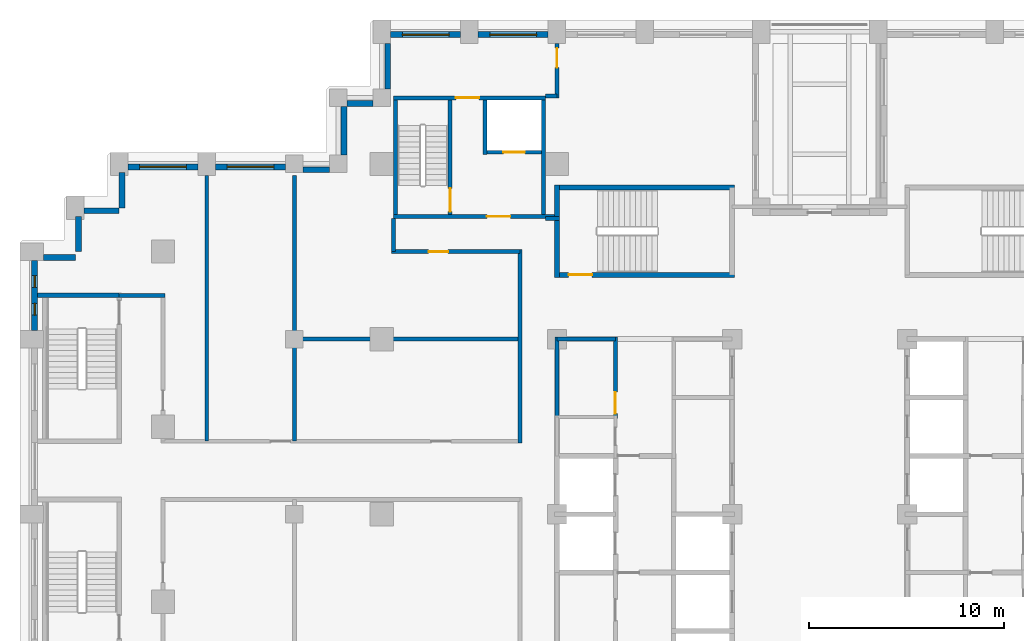
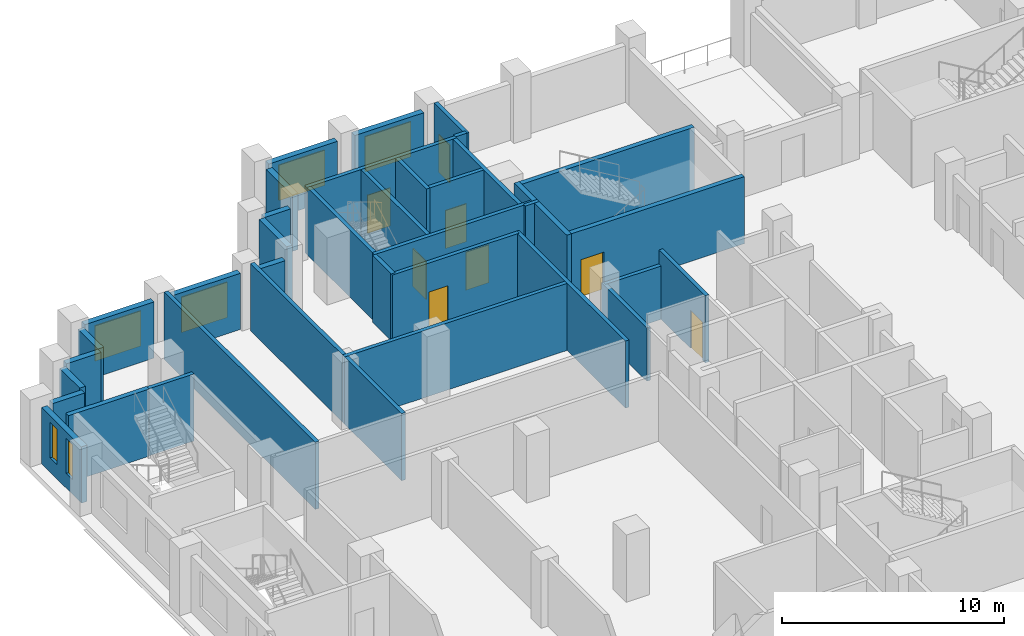
# One storey, part 7 of 13: 37 walls, 8 doors, 6 windows, 14 openings.
"""IFC4 building model written with IfcOpenShell, lengths in metres."""

from ifc_helpers import new_model, si_unit, direction, frame, frame_2d, origin, place, context, subcontext, project, spatial, rectangle, extrude, material, layer, layer_set, type_object, element, fill, save


model = new_model("IFC4")

# Units and contexts
model_context = context("Model", 3, precision=1e-05, world=origin(), true_north=direction((0.0, 1.0)))
body_context = subcontext(model_context, "Body", "Model", "MODEL_VIEW")
ifc_project = project(units=[si_unit("LENGTHUNIT", "METRE"), si_unit("AREAUNIT", "SQUARE_METRE"), si_unit("VOLUMEUNIT", "CUBIC_METRE"), si_unit("PLANEANGLEUNIT", "RADIAN"), si_unit("MASSUNIT", "GRAM", prefix="KILO")], contexts=[model_context])

# Site, building, storey
site_placement = place(None, origin())
site = spatial("IfcSite", under=ifc_project, at=site_placement, CompositionType="ELEMENT")
building_placement = place(site_placement, origin())
building = spatial("IfcBuilding", under=site, at=building_placement, Name="Corbelhall Arena Tower", CompositionType="ELEMENT")
storey_placement = place(building_placement, frame((0.0, 0.0, 68.0)))
storey = spatial("IfcBuildingStorey", under=building, at=storey_placement, Name="L09", CompositionType="ELEMENT", Elevation=68.0)

# Walls
ifc_material_1 = material(Name="Precast concrete C40/50 with granite facing", Category="masonry")
ifc_layer_1 = layer(ifc_material_1, 0.300048828125)
ifc_layer_set_1 = layer_set([ifc_layer_1], Name="EV-IW1 Infill panel 300")
wall_type_1 = type_object("IfcWallType", Name="EV-IW1 Infill panel 300", PredefinedType="SOLIDWALL", material=ifc_layer_set_1)
for number, where, z_axis, x_axis, name in (
    (1, (-35.85009765625, 17.550048828125, 0.0), (0.0, 0.0, 1.0), (0.0, -1.0, 0.0), "Infill panel IW1"),
    (2, (-37.800048828125, 15.60009765625, 0.0), (0.0, 0.0, 1.0), (1.0, 0.0, 0.0), "Infill panel IW1"),
    (3, (-38.10009765625, 15.300048828125, 0.0), (0.0, 0.0, 1.0), (0.0, -1.0, 0.0), "Infill panel IW1"),
):
    element("IfcWall", number, at=place(storey_placement, frame(where, z_axis=z_axis, x_axis=x_axis)), inside=storey, type_object=wall_type_1, Name=name, PredefinedType="SOLIDWALL", context=body_context, shape_type="SweptSolid", body=[
        extrude(rectangle(XDim=1.800048828125, YDim=0.300048828125, at=frame_2d((0.89990234375, 0.0))), origin(), (0.0, 0.0, 1.0), 3.10009765625),
    ])
wall_1_placement = place(storey_placement, frame((-39.89990234375, 13.199951171875, 0.0), z_axis=(0.0, 0.0, 1.0), x_axis=(1.0, 0.0, 0.0)))
element("IfcWall", 4, at=wall_1_placement, inside=storey, type_object=wall_type_1, Name="Infill panel IW1", PredefinedType="SOLIDWALL", context=body_context, shape_type="SweptSolid", body=[
    extrude(rectangle(XDim=1.64990234375, YDim=0.300048828125, at=frame_2d((0.824951171875, 0.0))), origin(), (0.0, 0.0, 1.0), 3.10009765625),
])
wall_2_placement = place(storey_placement, frame((-22.199951171875, 24.199951171875, 0.0), z_axis=(0.0, 0.0, 1.0), x_axis=(0.0, -1.0, 0.0)))
element("IfcWall", 5, at=wall_2_placement, inside=storey, type_object=wall_type_1, Name="Infill panel IW1", PredefinedType="SOLIDWALL", context=body_context, shape_type="SweptSolid", body=[
    extrude(rectangle(XDim=2.349853515625, YDim=0.300048828125, at=frame_2d((1.1748046875, 0.0))), origin(), (0.0, 0.0, 1.0), 3.10009765625),
])
wall_3_placement = place(storey_placement, frame((-22.949951171875, 21.10009765625, 0.0), z_axis=(0.0, 0.0, 1.0), x_axis=(-1.0, 0.0, 0.0)))
element("IfcWall", 6, at=wall_3_placement, inside=storey, type_object=wall_type_1, Name="Infill panel IW1", PredefinedType="SOLIDWALL", context=body_context, shape_type="SweptSolid", body=[
    extrude(rectangle(XDim=1.35009765625, YDim=0.300048828125, at=frame_2d((0.675048828125, 0.0))), origin(), (0.0, 0.0, 1.0), 3.10009765625),
])
wall_4_placement = place(storey_placement, frame((-24.449951171875, 20.949951171875, 0.0), z_axis=(0.0, 0.0, 1.0), x_axis=(0.0, -1.0, 0.0)))
element("IfcWall", 7, at=wall_4_placement, inside=storey, type_object=wall_type_1, Name="Infill panel IW1", PredefinedType="SOLIDWALL", context=body_context, shape_type="SweptSolid", body=[
    extrude(rectangle(XDim=2.5, YDim=0.300048828125, at=frame_2d((1.25, 0.0))), origin(), (0.0, 0.0, 1.0), 3.10009765625),
])
wall_5_placement = place(storey_placement, frame((-25.199951171875, 17.699951171875, 0.0), z_axis=(0.0, 0.0, 1.0), x_axis=(-1.0, 0.0, 0.0)))
element("IfcWall", 8, at=wall_5_placement, inside=storey, type_object=wall_type_1, Name="Infill panel IW1", PredefinedType="SOLIDWALL", context=body_context, shape_type="SweptSolid", body=[
    extrude(rectangle(XDim=1.35009765625, YDim=0.300048828125, at=frame_2d((0.675048828125, 0.0))), origin(), (0.0, 0.0, 1.0), 3.10009765625),
])

# Wall, opening, window
wall_6_placement = place(storey_placement, frame((-27.449951171875, 17.85009765625, 0.0), z_axis=(0.0, 0.0, 1.0), x_axis=(-1.0, 0.0, 0.0)))
wall_6 = element("IfcWall", 9, at=wall_6_placement, inside=storey, type_object=wall_type_1, Name="Infill panel IW1", PredefinedType="SOLIDWALL", context=body_context, shape_type="SweptSolid", body=[
    extrude(rectangle(XDim=3.60009765625, YDim=0.300048828125, at=frame_2d((1.800048828125, 0.0))), origin(), (0.0, 0.0, 1.0), 3.10009765625),
])
opening_1_placement = place(wall_6_placement, frame((0.60009765625, 0.0, 0.800048828125)))
opening_1 = element("IfcOpeningElement", 10, at=opening_1_placement, cuts=wall_6, Name="Opening WN1", PredefinedType="OPENING", context=body_context, shape_type="SweptSolid", body=[
    extrude(rectangle(XDim=2.39990234375, YDim=1.949951171875, at=frame_2d((1.199951171875, 0.97509765625))), frame((0.0, 0.14990234375, 0.0), z_axis=(0.0, -1.0, 0.0), x_axis=(1.0, 0.0, 0.0)), (0.0, 0.0, 1.0), 0.300048828125),
])
ifc_material_2 = material(Name="Aluminium black anodised", Category="aluminium")
window_type_1 = type_object("IfcWindowType", Name="EV-WN1 Office window", PartitioningType="SINGLE_PANEL", PredefinedType="WINDOW", material=ifc_material_2)
window_1_placement = place(opening_1_placement, origin())
window_1 = element("IfcWindow", 11, at=window_1_placement, inside=storey, type_object=window_type_1, Name="Window WN1", OverallHeight=1.949951171875, OverallWidth=2.39990234375, PartitioningType="SINGLE_PANEL", PredefinedType="WINDOW", context=body_context, shape_type="SweptSolid", body=[
    extrude(rectangle(XDim=2.39990234375, YDim=1.949951171875, at=frame_2d((1.199951171875, 0.97509765625))), frame((0.0, 0.030029296875, 0.0), z_axis=(0.0, -1.0, 0.0), x_axis=(1.0, 0.0, 0.0)), (0.0, 0.0, 1.0), 0.06005859375),
])
fill(opening_1, window_1)

wall_7_placement = place(storey_placement, frame((-31.949951171875, 17.85009765625, 0.0), z_axis=(0.0, 0.0, 1.0), x_axis=(-1.0, 0.0, 0.0)))
wall_7 = element("IfcWall", 12, at=wall_7_placement, inside=storey, type_object=wall_type_1, Name="Infill panel IW1", PredefinedType="SOLIDWALL", context=body_context, shape_type="SweptSolid", body=[
    extrude(rectangle(XDim=3.60009765625, YDim=0.300048828125, at=frame_2d((1.800048828125, 0.0))), origin(), (0.0, 0.0, 1.0), 3.10009765625),
])
opening_2_placement = place(wall_7_placement, frame((0.60009765625, 0.0, 0.800048828125)))
opening_2 = element("IfcOpeningElement", 13, at=opening_2_placement, cuts=wall_7, Name="Opening WN1", PredefinedType="OPENING", context=body_context, shape_type="SweptSolid", body=[
    extrude(rectangle(XDim=2.39990234375, YDim=1.949951171875, at=frame_2d((1.199951171875, 0.97509765625))), frame((0.0, 0.14990234375, 0.0), z_axis=(0.0, -1.0, 0.0), x_axis=(1.0, 0.0, 0.0)), (0.0, 0.0, 1.0), 0.300048828125),
])
window_2_placement = place(opening_2_placement, origin())
window_2 = element("IfcWindow", 14, at=window_2_placement, inside=storey, type_object=window_type_1, Name="Window WN1", OverallHeight=1.949951171875, OverallWidth=2.39990234375, PartitioningType="SINGLE_PANEL", PredefinedType="WINDOW", context=body_context, shape_type="SweptSolid", body=[
    extrude(rectangle(XDim=2.39990234375, YDim=1.949951171875, at=frame_2d((1.199951171875, 0.97509765625))), frame((0.0, 0.030029296875, 0.0), z_axis=(0.0, -1.0, 0.0), x_axis=(1.0, 0.0, 0.0)), (0.0, 0.0, 1.0), 0.06005859375),
])
fill(opening_2, window_2)

# Wall, openings, windows
wall_8_placement = place(storey_placement, frame((-40.35009765625, 13.050048828125, 0.0), z_axis=(0.0, 0.0, 1.0), x_axis=(0.0, -1.0, 0.0)))
wall_8 = element("IfcWall", 15, at=wall_8_placement, inside=storey, type_object=wall_type_1, Name="Infill panel IW1", PredefinedType="SOLIDWALL", context=body_context, shape_type="SweptSolid", body=[
    extrude(rectangle(XDim=3.60009765625, YDim=0.300048828125, at=frame_2d((1.800048828125, 0.0))), origin(), (0.0, 0.0, 1.0), 3.10009765625),
])
opening_3_placement = place(wall_8_placement, frame((0.78759765625, 0.0, 0.800048828125)))
opening_3 = element("IfcOpeningElement", 16, at=opening_3_placement, cuts=wall_8, Name="Opening WN5", PredefinedType="OPENING", context=body_context, shape_type="SweptSolid", body=[
    extrude(rectangle(XDim=0.60009765625, YDim=1.949951171875, at=frame_2d((0.300048828125, 0.97509765625))), frame((0.0, 0.14990234375, 0.0), z_axis=(0.0, -1.0, 0.0), x_axis=(1.0, 0.0, 0.0)), (0.0, 0.0, 1.0), 0.300048828125),
])
opening_4_placement = place(wall_8_placement, frame((2.21240234375, 0.0, 0.800048828125)))
opening_4 = element("IfcOpeningElement", 17, at=opening_4_placement, cuts=wall_8, Name="Opening WN5", PredefinedType="OPENING", context=body_context, shape_type="SweptSolid", body=[
    extrude(rectangle(XDim=0.60009765625, YDim=1.949951171875, at=frame_2d((0.300048828125, 0.97509765625))), frame((0.0, 0.14990234375, 0.0), z_axis=(0.0, -1.0, 0.0), x_axis=(1.0, 0.0, 0.0)), (0.0, 0.0, 1.0), 0.300048828125),
])
window_type_2 = type_object("IfcWindowType", Name="EV-WN5 Office window 600", PartitioningType="SINGLE_PANEL", PredefinedType="WINDOW", material=ifc_material_2)
window_3_placement = place(opening_3_placement, origin())
window_3 = element("IfcWindow", 18, at=window_3_placement, inside=storey, type_object=window_type_2, Name="Window WN5", OverallHeight=1.949951171875, OverallWidth=0.60009765625, PartitioningType="SINGLE_PANEL", PredefinedType="WINDOW", context=body_context, shape_type="SweptSolid", body=[
    extrude(rectangle(XDim=0.60009765625, YDim=1.949951171875, at=frame_2d((0.300048828125, 0.97509765625))), frame((0.0, 0.030029296875, 0.0), z_axis=(0.0, -1.0, 0.0), x_axis=(1.0, 0.0, 0.0)), (0.0, 0.0, 1.0), 0.06005859375),
])
fill(opening_3, window_3)
window_4_placement = place(opening_4_placement, origin())
window_4 = element("IfcWindow", 19, at=window_4_placement, inside=storey, type_object=window_type_2, Name="Window WN5", OverallHeight=1.949951171875, OverallWidth=0.60009765625, PartitioningType="SINGLE_PANEL", PredefinedType="WINDOW", context=body_context, shape_type="SweptSolid", body=[
    extrude(rectangle(XDim=0.60009765625, YDim=1.949951171875, at=frame_2d((0.300048828125, 0.97509765625))), frame((0.0, 0.030029296875, 0.0), z_axis=(0.0, -1.0, 0.0), x_axis=(1.0, 0.0, 0.0)), (0.0, 0.0, 1.0), 0.06005859375),
])
fill(opening_4, window_4)

# Wall, opening, window
wall_9_placement = place(storey_placement, frame((-13.949951171875, 24.64990234375, 0.0), z_axis=(0.0, 0.0, 1.0), x_axis=(-1.0, 0.0, 0.0)))
wall_9 = element("IfcWall", 20, at=wall_9_placement, inside=storey, type_object=wall_type_1, Name="Infill panel IW1", PredefinedType="SOLIDWALL", context=body_context, shape_type="SweptSolid", body=[
    extrude(rectangle(XDim=3.60009765625, YDim=0.300048828125, at=frame_2d((1.800048828125, 0.0))), origin(), (0.0, 0.0, 1.0), 3.10009765625),
])
opening_5_placement = place(wall_9_placement, frame((0.60009765625, 0.0, 0.800048828125)))
opening_5 = element("IfcOpeningElement", 21, at=opening_5_placement, cuts=wall_9, Name="Opening WN1", PredefinedType="OPENING", context=body_context, shape_type="SweptSolid", body=[
    extrude(rectangle(XDim=2.39990234375, YDim=1.949951171875, at=frame_2d((1.199951171875, 0.97509765625))), frame((0.0, 0.14990234375, 0.0), z_axis=(0.0, -1.0, 0.0), x_axis=(1.0, 0.0, 0.0)), (0.0, 0.0, 1.0), 0.300048828125),
])
window_5_placement = place(opening_5_placement, origin())
window_5 = element("IfcWindow", 22, at=window_5_placement, inside=storey, type_object=window_type_1, Name="Window WN1", OverallHeight=1.949951171875, OverallWidth=2.39990234375, PartitioningType="SINGLE_PANEL", PredefinedType="WINDOW", context=body_context, shape_type="SweptSolid", body=[
    extrude(rectangle(XDim=2.39990234375, YDim=1.949951171875, at=frame_2d((1.199951171875, 0.97509765625))), frame((0.0, 0.030029296875, 0.0), z_axis=(0.0, -1.0, 0.0), x_axis=(1.0, 0.0, 0.0)), (0.0, 0.0, 1.0), 0.06005859375),
])
fill(opening_5, window_5)

wall_10_placement = place(storey_placement, frame((-18.449951171875, 24.64990234375, 0.0), z_axis=(0.0, 0.0, 1.0), x_axis=(-1.0, 0.0, 0.0)))
wall_10 = element("IfcWall", 23, at=wall_10_placement, inside=storey, type_object=wall_type_1, Name="Infill panel IW1", PredefinedType="SOLIDWALL", context=body_context, shape_type="SweptSolid", body=[
    extrude(rectangle(XDim=3.60009765625, YDim=0.300048828125, at=frame_2d((1.800048828125, 0.0))), origin(), (0.0, 0.0, 1.0), 3.10009765625),
])
opening_6_placement = place(wall_10_placement, frame((0.60009765625, 0.0, 0.800048828125)))
opening_6 = element("IfcOpeningElement", 24, at=opening_6_placement, cuts=wall_10, Name="Opening WN1", PredefinedType="OPENING", context=body_context, shape_type="SweptSolid", body=[
    extrude(rectangle(XDim=2.39990234375, YDim=1.949951171875, at=frame_2d((1.199951171875, 0.97509765625))), frame((0.0, 0.14990234375, 0.0), z_axis=(0.0, -1.0, 0.0), x_axis=(1.0, 0.0, 0.0)), (0.0, 0.0, 1.0), 0.300048828125),
])
window_6_placement = place(opening_6_placement, origin())
window_6 = element("IfcWindow", 25, at=window_6_placement, inside=storey, type_object=window_type_1, Name="Window WN1", OverallHeight=1.949951171875, OverallWidth=2.39990234375, PartitioningType="SINGLE_PANEL", PredefinedType="WINDOW", context=body_context, shape_type="SweptSolid", body=[
    extrude(rectangle(XDim=2.39990234375, YDim=1.949951171875, at=frame_2d((1.199951171875, 0.97509765625))), frame((0.0, 0.030029296875, 0.0), z_axis=(0.0, -1.0, 0.0), x_axis=(1.0, 0.0, 0.0)), (0.0, 0.0, 1.0), 0.06005859375),
])
fill(opening_6, window_6)

# Walls
ifc_material_3 = material(Name="Gypsum board on steel stud, acoustic", Category="steel")
ifc_layer_2 = layer(ifc_material_3, 0.199951171875)
ifc_layer_set_2 = layer_set([ifc_layer_2], Name="IN-W-DM200")
wall_type_2 = type_object("IfcWallType", Name="IN-W-DM200", PredefinedType="PARTITIONING", material=ifc_layer_set_2)
wall_11_placement = place(storey_placement, frame((-36.0, 11.25, 0.0), z_axis=(0.0, 0.0, 1.0), x_axis=(1.0, 0.0, 0.0)))
element("IfcWall", 26, at=wall_11_placement, inside=storey, type_object=wall_type_2, Name="Partition 001", PredefinedType="PARTITIONING", context=body_context, shape_type="SweptSolid", body=[
    extrude(rectangle(XDim=2.35009765625, YDim=0.199951171875, at=frame_2d((1.175048828125, 0.0))), origin(), (0.0, 0.0, 1.0), 3.699951171875),
])
wall_12_placement = place(storey_placement, frame((-31.5, 17.39990234375, 0.0), z_axis=(0.0, 0.0, 1.0), x_axis=(0.0, -1.0, 0.0)))
element("IfcWall", 27, at=wall_12_placement, inside=storey, type_object=wall_type_2, Name="Partition 006", PredefinedType="PARTITIONING", context=body_context, shape_type="SweptSolid", body=[
    extrude(rectangle(XDim=13.64990234375, YDim=0.199951171875, at=frame_2d((6.824951171875, 0.0))), origin(), (0.0, 0.0, 1.0), 3.699951171875),
])
wall_13_placement = place(storey_placement, frame((-27.10009765625, 9.0, 0.0), z_axis=(0.0, 0.0, 1.0), x_axis=(1.0, 0.0, 0.0)))
element("IfcWall", 28, at=wall_13_placement, inside=storey, type_object=wall_type_2, Name="Partition 007", PredefinedType="PARTITIONING", context=body_context, shape_type="SweptSolid", body=[
    extrude(rectangle(XDim=11.7001953125, YDim=0.199951171875, at=frame_2d((5.85009765625, 0.0))), origin(), (0.0, 0.0, 1.0), 3.699951171875),
])
wall_14_placement = place(storey_placement, frame((-27.0, 3.75, 0.0), z_axis=(0.0, 0.0, 1.0), x_axis=(0.0, 1.0, 0.0)))
element("IfcWall", 29, at=wall_14_placement, inside=storey, type_object=wall_type_2, Name="Partition 009", PredefinedType="PARTITIONING", context=body_context, shape_type="SweptSolid", body=[
    extrude(rectangle(XDim=13.64990234375, YDim=0.199951171875, at=frame_2d((6.824951171875, 0.0))), origin(), (0.0, 0.0, 1.0), 3.699951171875),
])
wall_15_placement = place(storey_placement, frame((-21.89990234375, 13.5, 0.0), z_axis=(0.0, 0.0, 1.0), x_axis=(0.0, 1.0, 0.0)))
element("IfcWall", 30, at=wall_15_placement, inside=storey, type_object=wall_type_2, Name="Partition 013", PredefinedType="PARTITIONING", context=body_context, shape_type="SweptSolid", body=[
    extrude(rectangle(XDim=1.699951171875, YDim=0.199951171875, at=frame_2d((0.85009765625, 0.0))), origin(), (0.0, 0.0, 1.0), 3.699951171875),
])
wall_16_placement = place(storey_placement, frame((-15.39990234375, 3.64990234375, 0.0), z_axis=(0.0, 0.0, 1.0), x_axis=(0.0, 1.0, 0.0)))
element("IfcWall", 31, at=wall_16_placement, inside=storey, type_object=wall_type_2, Name="Partition 017", PredefinedType="PARTITIONING", context=body_context, shape_type="SweptSolid", body=[
    extrude(rectangle(XDim=9.9501953125, YDim=0.199951171875, at=frame_2d((4.97509765625, 0.0))), origin(), (0.0, 0.0, 1.0), 3.699951171875),
])

# Wall, opening, door
wall_17_placement = place(storey_placement, frame((-15.39990234375, 13.5, 0.0), z_axis=(0.0, 0.0, 1.0), x_axis=(-1.0, 0.0, 0.0)))
wall_17 = element("IfcWall", 32, at=wall_17_placement, inside=storey, type_object=wall_type_2, Name="Partition 018", PredefinedType="PARTITIONING", context=body_context, shape_type="SweptSolid", body=[
    extrude(rectangle(XDim=6.60009765625, YDim=0.199951171875, at=frame_2d((3.300048828125, 0.0))), origin(), (0.0, 0.0, 1.0), 3.699951171875),
])
opening_7_placement = place(wall_17_placement, frame((3.699951171875, 0.0, 0.0)))
opening_7 = element("IfcOpeningElement", 33, at=opening_7_placement, cuts=wall_17, Name="Opening 01028", PredefinedType="OPENING", context=body_context, shape_type="SweptSolid", body=[
    extrude(rectangle(XDim=1.0, YDim=2.10009765625, at=frame_2d((0.5, 1.050048828125))), frame((0.0, 0.10009765625, 0.0), z_axis=(0.0, -1.0, 0.0), x_axis=(1.0, 0.0, 0.0)), (0.0, 0.0, 1.0), 0.199951171875),
])
ifc_material_4 = material(Name="Steel door set", Category="steel")
door_type_1 = type_object("IfcDoorType", Name="IN-D-SW100", OperationType="NOTDEFINED", PredefinedType="DOOR", material=ifc_material_4)
door_1_placement = place(opening_7_placement, origin())
door_1 = element("IfcDoor", 34, at=door_1_placement, inside=storey, type_object=door_type_1, Name="Door 028", OperationType="SINGLE_SWING_LEFT", OverallHeight=2.10009765625, OverallWidth=1.0, PredefinedType="DOOR", context=body_context, shape_type="SweptSolid", body=[
    extrude(rectangle(XDim=1.0, YDim=2.10009765625, at=frame_2d((0.5, 1.050048828125))), frame((0.0, 0.02490234375, 0.0), z_axis=(0.0, -1.0, 0.0), x_axis=(1.0, 0.0, 0.0)), (0.0, 0.0, 1.0), 0.050048828125),
])
fill(opening_7, door_1)

# Walls
wall_18_placement = place(storey_placement, frame((-14.10009765625, 15.199951171875, 0.0), z_axis=(0.0, 0.0, 1.0), x_axis=(1.0, 0.0, 0.0)))
element("IfcWall", 35, at=wall_18_placement, inside=storey, type_object=wall_type_2, Name="Partition 019", PredefinedType="PARTITIONING", context=body_context, shape_type="SweptSolid", body=[
    extrude(rectangle(XDim=0.72509765625, YDim=0.199951171875, at=frame_2d((0.362548828125, 0.0))), origin(), (0.0, 0.0, 1.0), 3.699951171875),
])
wall_19_placement = place(storey_placement, frame((-13.5, 21.5, 0.0), z_axis=(0.0, 0.0, 1.0), x_axis=(-1.0, 0.0, 0.0)))
element("IfcWall", 36, at=wall_19_placement, inside=storey, type_object=wall_type_2, Name="Partition 021", PredefinedType="PARTITIONING", context=body_context, shape_type="SweptSolid", body=[
    extrude(rectangle(XDim=0.60009765625, YDim=0.199951171875, at=frame_2d((0.300048828125, 0.0))), origin(), (0.0, 0.0, 1.0), 3.699951171875),
])

# Wall, opening, door
wall_20_placement = place(storey_placement, frame((-13.5, 24.199951171875, 0.0), z_axis=(0.0, 0.0, 1.0), x_axis=(0.0, -1.0, 0.0)))
wall_20 = element("IfcWall", 37, at=wall_20_placement, inside=storey, type_object=wall_type_2, Name="Partition 022", PredefinedType="PARTITIONING", context=body_context, shape_type="SweptSolid", body=[
    extrude(rectangle(XDim=2.800048828125, YDim=0.199951171875, at=frame_2d((1.39990234375, 0.0))), origin(), (0.0, 0.0, 1.0), 3.699951171875),
])
opening_8_placement = place(wall_20_placement, frame((0.25, 0.0, 0.0)))
opening_8 = element("IfcOpeningElement", 38, at=opening_8_placement, cuts=wall_20, Name="Opening 01023", PredefinedType="OPENING", context=body_context, shape_type="SweptSolid", body=[
    extrude(rectangle(XDim=1.0, YDim=2.10009765625, at=frame_2d((0.5, 1.050048828125))), frame((0.0, 0.10009765625, 0.0), z_axis=(0.0, -1.0, 0.0), x_axis=(1.0, 0.0, 0.0)), (0.0, 0.0, 1.0), 0.199951171875),
])
door_2_placement = place(opening_8_placement, origin())
door_2 = element("IfcDoor", 39, at=door_2_placement, inside=storey, type_object=door_type_1, Name="Door 023", OperationType="SINGLE_SWING_RIGHT", OverallHeight=2.10009765625, OverallWidth=1.0, PredefinedType="DOOR", context=body_context, shape_type="SweptSolid", body=[
    extrude(rectangle(XDim=1.0, YDim=2.10009765625, at=frame_2d((0.5, 1.050048828125))), frame((0.0, 0.02490234375, 0.0), z_axis=(0.0, -1.0, 0.0), x_axis=(1.0, 0.0, 0.0)), (0.0, 0.0, 1.0), 0.050048828125),
])
fill(opening_8, door_2)

ifc_material_5 = material(Name="Concrete C40/50", Category="concrete")
ifc_layer_3 = layer(ifc_material_5, 0.199951171875)
ifc_layer_set_3 = layer_set([ifc_layer_3], Name="IN-W-EAR200")
wall_type_3 = type_object("IfcWallType", Name="IN-W-EAR200", PredefinedType="SOLIDWALL", material=ifc_layer_set_3)
wall_21_placement = place(storey_placement, frame((-21.89990234375, 15.300048828125, 0.0), z_axis=(0.0, 0.0, 1.0), x_axis=(1.0, 0.0, 0.0)))
wall_21 = element("IfcWall", 40, at=wall_21_placement, inside=storey, type_object=wall_type_3, Name="Fire service turret wall south", PredefinedType="SOLIDWALL", context=body_context, shape_type="SweptSolid", body=[
    extrude(rectangle(XDim=8.27490234375, YDim=0.199951171875, at=frame_2d((4.137451171875, 0.0))), origin(), (0.0, 0.0, 1.0), 3.699951171875),
])
opening_9_placement = place(wall_21_placement, frame((4.800048828125, 0.0, 0.0)))
opening_9 = element("IfcOpeningElement", 41, at=opening_9_placement, cuts=wall_21, Name="Opening E012", PredefinedType="OPENING", context=body_context, shape_type="SweptSolid", body=[
    extrude(rectangle(XDim=1.199951171875, YDim=2.10009765625, at=frame_2d((0.60009765625, 1.050048828125))), frame((0.0, 0.10009765625, 0.0), z_axis=(0.0, -1.0, 0.0), x_axis=(1.0, 0.0, 0.0)), (0.0, 0.0, 1.0), 0.199951171875),
])
door_type_2 = type_object("IfcDoorType", Name="IN-D-ST120", OperationType="NOTDEFINED", PredefinedType="DOOR", material=ifc_material_4)
door_3_placement = place(opening_9_placement, origin())
door_3 = element("IfcDoor", 42, at=door_3_placement, inside=storey, type_object=door_type_2, Name="Door from fire service lift lobby to circulation", OperationType="SINGLE_SWING_RIGHT", OverallHeight=2.10009765625, OverallWidth=1.199951171875, PredefinedType="DOOR", context=body_context, shape_type="SweptSolid", body=[
    extrude(rectangle(XDim=1.199951171875, YDim=2.10009765625, at=frame_2d((0.60009765625, 1.050048828125))), frame((0.0, 0.02490234375, 0.0), z_axis=(0.0, -1.0, 0.0), x_axis=(1.0, 0.0, 0.0)), (0.0, 0.0, 1.0), 0.050048828125),
])
fill(opening_9, door_3)

wall_22_placement = place(storey_placement, frame((-21.89990234375, 21.39990234375, 0.0), z_axis=(0.0, 0.0, 1.0), x_axis=(1.0, 0.0, 0.0)))
wall_22 = element("IfcWall", 43, at=wall_22_placement, inside=storey, type_object=wall_type_3, Name="Fire service turret wall north", PredefinedType="SOLIDWALL", context=body_context, shape_type="SweptSolid", body=[
    extrude(rectangle(XDim=7.7998046875, YDim=0.199951171875, at=frame_2d((3.89990234375, 0.0))), origin(), (0.0, 0.0, 1.0), 3.699951171875),
])
opening_10_placement = place(wall_22_placement, frame((3.199951171875, 0.0, 0.0)))
opening_10 = element("IfcOpeningElement", 44, at=opening_10_placement, cuts=wall_22, Name="Opening E013", PredefinedType="OPENING", context=body_context, shape_type="SweptSolid", body=[
    extrude(rectangle(XDim=1.199951171875, YDim=2.10009765625, at=frame_2d((0.60009765625, 1.050048828125))), frame((0.0, 0.10009765625, 0.0), z_axis=(0.0, -1.0, 0.0), x_axis=(1.0, 0.0, 0.0)), (0.0, 0.0, 1.0), 0.199951171875),
])
door_4_placement = place(opening_10_placement, origin())
door_4 = element("IfcDoor", 45, at=door_4_placement, inside=storey, type_object=door_type_2, Name="Door from fire service lift lobby to the north gallery", OperationType="SINGLE_SWING_LEFT", OverallHeight=2.10009765625, OverallWidth=1.199951171875, PredefinedType="DOOR", context=body_context, shape_type="SweptSolid", body=[
    extrude(rectangle(XDim=1.199951171875, YDim=2.10009765625, at=frame_2d((0.60009765625, 1.050048828125))), frame((0.0, 0.02490234375, 0.0), z_axis=(0.0, -1.0, 0.0), x_axis=(1.0, 0.0, 0.0)), (0.0, 0.0, 1.0), 0.050048828125),
])
fill(opening_10, door_4)

# Walls
for number, where, z_axis, x_axis, name in (
    (46, (-21.800048828125, 15.39990234375, 0.0), (0.0, 0.0, 1.0), (0.0, 1.0, 0.0), "Fire service turret wall west"),
    (47, (-14.199951171875, 15.39990234375, 0.0), (0.0, 0.0, 1.0), (0.0, 1.0, 0.0), "Fire service turret wall east"),
):
    element("IfcWall", number, at=place(storey_placement, frame(where, z_axis=z_axis, x_axis=x_axis)), inside=storey, type_object=wall_type_3, Name=name, PredefinedType="SOLIDWALL", context=body_context, shape_type="SweptSolid", body=[
        extrude(rectangle(XDim=5.900146484375, YDim=0.199951171875, at=frame_2d((2.9501953125, 0.0))), origin(), (0.0, 0.0, 1.0), 3.699951171875),
    ])

# Wall, opening, door
wall_23_placement = place(storey_placement, frame((-18.989990234375, 15.39990234375, 0.0), z_axis=(0.0, 0.0, 1.0), x_axis=(0.0, 1.0, 0.0)))
wall_23 = element("IfcWall", 48, at=wall_23_placement, inside=storey, type_object=wall_type_3, Name="Fire service turret wall stair", PredefinedType="SOLIDWALL", context=body_context, shape_type="SweptSolid", body=[
    extrude(rectangle(XDim=5.900146484375, YDim=0.199951171875, at=frame_2d((2.9501953125, 0.0))), origin(), (0.0, 0.0, 1.0), 3.699951171875),
])
opening_11_placement = place(wall_23_placement, frame((0.14990234375, 0.0, 0.0)))
opening_11 = element("IfcOpeningElement", 49, at=opening_11_placement, cuts=wall_23, Name="Opening E011", PredefinedType="OPENING", context=body_context, shape_type="SweptSolid", body=[
    extrude(rectangle(XDim=1.199951171875, YDim=2.10009765625, at=frame_2d((0.60009765625, 1.050048828125))), frame((0.0, 0.10009765625, 0.0), z_axis=(0.0, -1.0, 0.0), x_axis=(1.0, 0.0, 0.0)), (0.0, 0.0, 1.0), 0.199951171875),
])
door_5_placement = place(opening_11_placement, origin())
door_5 = element("IfcDoor", 50, at=door_5_placement, inside=storey, type_object=door_type_2, Name="Stair door to fire service lobby", OperationType="SINGLE_SWING_LEFT", OverallHeight=2.10009765625, OverallWidth=1.199951171875, PredefinedType="DOOR", context=body_context, shape_type="SweptSolid", body=[
    extrude(rectangle(XDim=1.199951171875, YDim=2.10009765625, at=frame_2d((0.60009765625, 1.050048828125))), frame((0.0, 0.02490234375, 0.0), z_axis=(0.0, -1.0, 0.0), x_axis=(1.0, 0.0, 0.0)), (0.0, 0.0, 1.0), 0.050048828125),
])
fill(opening_11, door_5)

# Wall
wall_24_placement = place(storey_placement, frame((-17.199951171875, 18.5, 0.0), z_axis=(0.0, 0.0, 1.0), x_axis=(0.0, 1.0, 0.0)))
element("IfcWall", 51, at=wall_24_placement, inside=storey, type_object=wall_type_3, Name="Fire service turret wall hoistway west", PredefinedType="SOLIDWALL", context=body_context, shape_type="SweptSolid", body=[
    extrude(rectangle(XDim=2.800048828125, YDim=0.199951171875, at=frame_2d((1.39990234375, 0.0))), origin(), (0.0, 0.0, 1.0), 3.699951171875),
])

# Wall, opening, door
wall_25_placement = place(storey_placement, frame((-17.10009765625, 18.60009765625, 0.0), z_axis=(0.0, 0.0, 1.0), x_axis=(1.0, 0.0, 0.0)))
wall_25 = element("IfcWall", 52, at=wall_25_placement, inside=storey, type_object=wall_type_3, Name="Fire service turret wall hoistway south", PredefinedType="SOLIDWALL", context=body_context, shape_type="SweptSolid", body=[
    extrude(rectangle(XDim=2.800048828125, YDim=0.199951171875, at=frame_2d((1.39990234375, 0.0))), origin(), (0.0, 0.0, 1.0), 3.699951171875),
])
opening_12_placement = place(wall_25_placement, frame((0.85009765625, 0.0, 0.0)))
opening_12 = element("IfcOpeningElement", 53, at=opening_12_placement, cuts=wall_25, Name="Opening LD", PredefinedType="OPENING", context=body_context, shape_type="SweptSolid", body=[
    extrude(rectangle(XDim=1.10009765625, YDim=2.10009765625, at=frame_2d((0.550048828125, 1.050048828125))), frame((0.0, 0.10009765625, 0.0), z_axis=(0.0, -1.0, 0.0), x_axis=(1.0, 0.0, 0.0)), (0.0, 0.0, 1.0), 0.199951171875),
])
door_type_3 = type_object("IfcDoorType", Name="IN-D-LD110", OperationType="NOTDEFINED", PredefinedType="DOOR", material=ifc_material_4)
door_6_placement = place(opening_12_placement, origin())
door_6 = element("IfcDoor", 54, at=door_6_placement, inside=storey, type_object=door_type_3, Name="Landing door FS1", OperationType="SLIDING_TO_LEFT", OverallHeight=2.10009765625, OverallWidth=1.10009765625, PredefinedType="DOOR", context=body_context, shape_type="SweptSolid", body=[
    extrude(rectangle(XDim=1.10009765625, YDim=2.10009765625, at=frame_2d((0.550048828125, 1.050048828125))), frame((0.0, 0.02490234375, 0.0), z_axis=(0.0, -1.0, 0.0), x_axis=(1.0, 0.0, 0.0)), (0.0, 0.0, 1.0), 0.050048828125),
])
fill(opening_12, door_6)

ifc_material_6 = material(Name="Concrete block wall", Category="concrete")
ifc_layer_4 = layer(ifc_material_6, 0.199951171875)
ifc_layer_set_4 = layer_set([ifc_layer_4], Name="IN-W-RS200")
wall_type_4 = type_object("IfcWallType", Name="IN-W-RS200", PredefinedType="SOLIDWALL", material=ifc_layer_set_4)
wall_26_placement = place(storey_placement, frame((-10.5, 4.925048828125, 0.0), z_axis=(0.0, 0.0, 1.0), x_axis=(0.0, 1.0, 0.0)))
wall_26 = element("IfcWall", 55, at=wall_26_placement, inside=storey, type_object=wall_type_4, Name="Partition 050", PredefinedType="SOLIDWALL", context=body_context, shape_type="SweptSolid", body=[
    extrude(rectangle(XDim=4.175048828125, YDim=0.199951171875, at=frame_2d((2.08740234375, 0.0))), origin(), (0.0, 0.0, 1.0), 3.699951171875),
])
opening_13_placement = place(wall_26_placement, frame((0.25, 0.0, 0.0)))
opening_13 = element("IfcOpeningElement", 56, at=opening_13_placement, cuts=wall_26, Name="Opening 01007", PredefinedType="OPENING", context=body_context, shape_type="SweptSolid", body=[
    extrude(rectangle(XDim=1.10009765625, YDim=2.10009765625, at=frame_2d((0.550048828125, 1.050048828125))), frame((0.0, 0.10009765625, 0.0), z_axis=(0.0, -1.0, 0.0), x_axis=(1.0, 0.0, 0.0)), (0.0, 0.0, 1.0), 0.199951171875),
])
door_type_4 = type_object("IfcDoorType", Name="IN-D-FD110", OperationType="NOTDEFINED", PredefinedType="DOOR", material=ifc_material_4)
door_7_placement = place(opening_13_placement, origin())
door_7 = element("IfcDoor", 57, at=door_7_placement, inside=storey, type_object=door_type_4, Name="Door 007", OperationType="SINGLE_SWING_RIGHT", OverallHeight=2.10009765625, OverallWidth=1.10009765625, PredefinedType="DOOR", context=body_context, shape_type="SweptSolid", body=[
    extrude(rectangle(XDim=1.10009765625, YDim=2.10009765625, at=frame_2d((0.550048828125, 1.050048828125))), frame((0.0, 0.02490234375, 0.0), z_axis=(0.0, -1.0, 0.0), x_axis=(1.0, 0.0, 0.0)), (0.0, 0.0, 1.0), 0.050048828125),
])
fill(opening_13, door_7)

# Walls
ifc_layer_5 = layer(ifc_material_6, 0.199951171875)
ifc_layer_set_5 = layer_set([ifc_layer_5], Name="IN-W-RS200 under beam 762 mm")
wall_type_5 = type_object("IfcWallType", Name="IN-W-RS200 under beam 762 mm", PredefinedType="SOLIDWALL", material=ifc_layer_set_5)
wall_27_placement = place(storey_placement, frame((-13.5, 5.0, 0.0), z_axis=(0.0, 0.0, 1.0), x_axis=(0.0, 1.0, 0.0)))
element("IfcWall", 58, at=wall_27_placement, inside=storey, type_object=wall_type_5, Name="Partition 047", PredefinedType="SOLIDWALL", context=body_context, shape_type="SweptSolid", body=[
    extrude(rectangle(XDim=4.10009765625, YDim=0.199951171875, at=frame_2d((2.050048828125, 0.0))), origin(), (0.0, 0.0, 1.0), 2.93798828125),
])
wall_28_placement = place(storey_placement, frame((-13.5, 9.0, 0.0), z_axis=(0.0, 0.0, 1.0), x_axis=(1.0, 0.0, 0.0)))
element("IfcWall", 59, at=wall_28_placement, inside=storey, type_object=wall_type_5, Name="Partition 048", PredefinedType="SOLIDWALL", context=body_context, shape_type="SweptSolid", body=[
    extrude(rectangle(XDim=3.0, YDim=0.199951171875, at=frame_2d((1.5, 0.0))), origin(), (0.0, 0.0, 1.0), 2.93798828125),
])
ifc_layer_6 = layer(ifc_material_5, 0.25)
ifc_layer_set_6 = layer_set([ifc_layer_6], Name="IN-W-ST250")
wall_type_6 = type_object("IfcWallType", Name="IN-W-ST250", PredefinedType="SOLIDWALL", material=ifc_layer_set_6)
wall_29_placement = place(storey_placement, frame((-40.199951171875, 11.25, 0.0), z_axis=(0.0, 0.0, 1.0), x_axis=(1.0, 0.0, 0.0)))
element("IfcWall", 60, at=wall_29_placement, inside=storey, type_object=wall_type_6, Name="Shaft wall 086", PredefinedType="SOLIDWALL", context=body_context, shape_type="SweptSolid", body=[
    extrude(rectangle(XDim=4.199951171875, YDim=0.25, at=frame_2d((2.10009765625, 0.0))), origin(), (0.0, 0.0, 1.0), 3.699951171875),
])

# Wall, opening, door
wall_30_placement = place(storey_placement, frame((-13.5, 12.300048828125, 0.0), z_axis=(0.0, 0.0, 1.0), x_axis=(1.0, 0.0, 0.0)))
wall_30 = element("IfcWall", 61, at=wall_30_placement, inside=storey, type_object=wall_type_6, Name="Shaft wall 092", PredefinedType="SOLIDWALL", context=body_context, shape_type="SweptSolid", body=[
    extrude(rectangle(XDim=9.125, YDim=0.25, at=frame_2d((4.5625, 0.0))), origin(), (0.0, 0.0, 1.0), 3.699951171875),
])
opening_14_placement = place(wall_30_placement, frame((0.60009765625, 0.0, 0.0)))
opening_14 = element("IfcOpeningElement", 62, at=opening_14_placement, cuts=wall_30, Name="Opening 01015", PredefinedType="OPENING", context=body_context, shape_type="SweptSolid", body=[
    extrude(rectangle(XDim=1.199951171875, YDim=2.10009765625, at=frame_2d((0.60009765625, 1.050048828125))), frame((0.0, 0.125, 0.0), z_axis=(0.0, -1.0, 0.0), x_axis=(1.0, 0.0, 0.0)), (0.0, 0.0, 1.0), 0.25),
])
door_8_placement = place(opening_14_placement, origin())
door_8 = element("IfcDoor", 63, at=door_8_placement, inside=storey, type_object=door_type_2, Name="Door 015", OperationType="SINGLE_SWING_RIGHT", OverallHeight=2.10009765625, OverallWidth=1.199951171875, PredefinedType="DOOR", context=body_context, shape_type="SweptSolid", body=[
    extrude(rectangle(XDim=1.199951171875, YDim=2.10009765625, at=frame_2d((0.60009765625, 1.050048828125))), frame((0.0, 0.02490234375, 0.0), z_axis=(0.0, -1.0, 0.0), x_axis=(1.0, 0.0, 0.0)), (0.0, 0.0, 1.0), 0.050048828125),
])
fill(opening_14, door_8)

# Walls
wall_31_placement = place(storey_placement, frame((-13.5, 12.175048828125, 0.0), z_axis=(0.0, 0.0, 1.0), x_axis=(0.0, 1.0, 0.0)))
element("IfcWall", 64, at=wall_31_placement, inside=storey, type_object=wall_type_6, Name="Shaft wall 093", PredefinedType="SOLIDWALL", context=body_context, shape_type="SweptSolid", body=[
    extrude(rectangle(XDim=4.75, YDim=0.25, at=frame_2d((2.375, 0.0))), origin(), (0.0, 0.0, 1.0), 3.699951171875),
])
wall_32_placement = place(storey_placement, frame((-13.5, 16.800048828125, 0.0), z_axis=(0.0, 0.0, 1.0), x_axis=(1.0, 0.0, 0.0)))
element("IfcWall", 65, at=wall_32_placement, inside=storey, type_object=wall_type_6, Name="Shaft wall 094", PredefinedType="SOLIDWALL", context=body_context, shape_type="SweptSolid", body=[
    extrude(rectangle(XDim=9.125, YDim=0.25, at=frame_2d((4.5625, 0.0))), origin(), (0.0, 0.0, 1.0), 3.699951171875),
])

save(model, "model.ifc")
